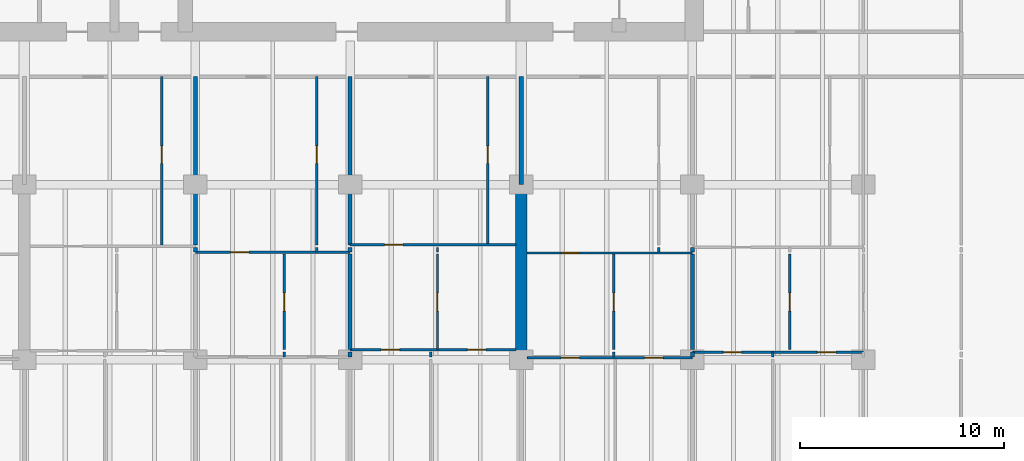
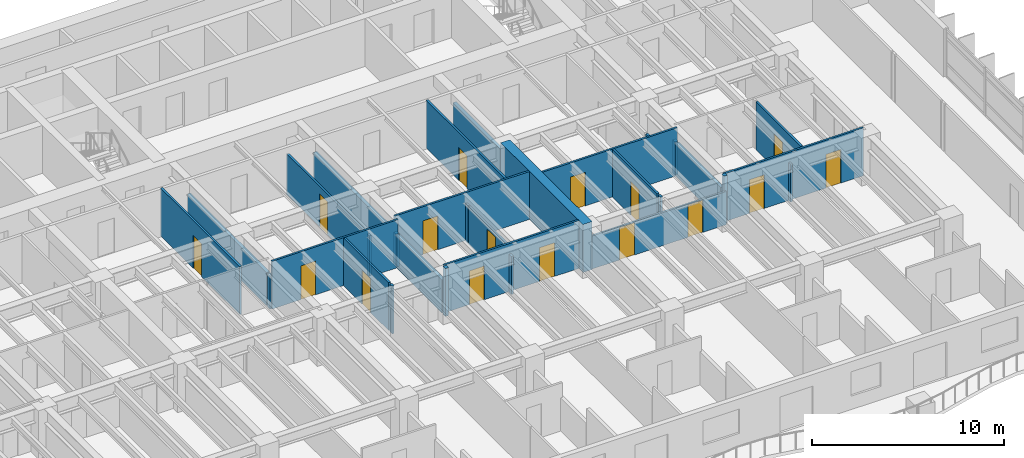
# One storey, part 9 of 19: 31 walls, 16 doors, 16 openings.
"""IFC4 building model written with IfcOpenShell, lengths in metres."""

from ifc_helpers import new_model, si_unit, direction, frame, frame_2d, origin, place, context, subcontext, project, spatial, rectangle, extrude, material, layer, layer_set, type_object, element, fill, save


model = new_model("IFC4")

# Units and contexts
model_context = context("Model", 3, precision=1e-05, world=origin(), true_north=direction((0.0, 1.0)))
body_context = subcontext(model_context, "Body", "Model", "MODEL_VIEW")
ifc_project = project(units=[si_unit("LENGTHUNIT", "METRE"), si_unit("AREAUNIT", "SQUARE_METRE"), si_unit("VOLUMEUNIT", "CUBIC_METRE"), si_unit("PLANEANGLEUNIT", "RADIAN"), si_unit("MASSUNIT", "GRAM", prefix="KILO")], contexts=[model_context])

# Site, building, storey
site_placement = place(None, origin())
site = spatial("IfcSite", under=ifc_project, at=site_placement, CompositionType="ELEMENT")
building_placement = place(site_placement, origin())
building = spatial("IfcBuilding", under=site, at=building_placement, Name="Caelmar Bay Residences", CompositionType="ELEMENT")
storey_placement = place(building_placement, frame((0.0, 0.0, 66.300048828125)))
storey = spatial("IfcBuildingStorey", under=building, at=storey_placement, Name="L17", CompositionType="ELEMENT", Elevation=66.300048828125)

# Wall
ifc_material_1 = material(Name="Concrete f'c 70 MPa (10,000 psi)", Category="concrete")
ifc_layer_1 = layer(ifc_material_1, 0.550048828125)
ifc_layer_set_1 = layer_set([ifc_layer_1], Name="Concrete f'c 70 MPa (10,000 psi)")
wall_type_1 = type_object("IfcWallType", Name="SW-XSLB-550", PredefinedType="SHEAR", material=ifc_layer_set_1)
wall_1_placement = place(storey_placement, frame((51.10009765625, 20.800048828125, 0.0), z_axis=(0.0, 0.0, 1.0), x_axis=(0.0, 1.0, 0.0)))
element("IfcWall", 1, at=wall_1_placement, inside=storey, type_object=wall_type_1, Name="L17 Transverse Cross-Slab Shear Wall E8", PredefinedType="SHEAR", context=body_context, shape_type="SweptSolid", body=[
    extrude(rectangle(XDim=8.599853515625, YDim=0.550048828125, at=frame_2d((4.2998046875, 0.0))), origin(), (0.0, 0.0, 1.0), 3.050048828125),
])

# Wall, opening, door
ifc_material_2 = material(Name="Acoustic metal-stud gypsum partition 120 mm")
ifc_layer_2 = layer(ifc_material_2, 0.1201171875)
ifc_layer_set_2 = layer_set([ifc_layer_2], Name="Acoustic metal-stud gypsum partition 120 mm")
wall_type_2 = type_object("IfcWallType", Name="W-PRT-120", PredefinedType="PARTITIONING", material=ifc_layer_set_2)
wall_2_placement = place(storey_placement, frame((33.449951171875, 26.43994140625, 0.0), z_axis=(0.0, 0.0, 1.0), x_axis=(0.0, 1.0, 0.0)))
wall_2 = element("IfcWall", 2, at=wall_2_placement, inside=storey, type_object=wall_type_2, Name="L17 Partition Wall V048", PredefinedType="PARTITIONING", context=body_context, shape_type="SweptSolid", body=[
    extrude(rectangle(XDim=8.260009765625, YDim=0.1201171875, at=frame_2d((4.1298828125, 0.0))), origin(), (0.0, 0.0, 1.0), 3.050048828125),
])
opening_1_placement = place(wall_2_placement, frame((4.0048828125, 0.0, 0.0)))
opening_1 = element("IfcOpeningElement", 3, at=opening_1_placement, cuts=wall_2, Name="Opening D-L17-139", PredefinedType="OPENING", context=body_context, shape_type="SweptSolid", body=[
    extrude(rectangle(XDim=0.85009765625, YDim=2.10009765625, at=frame_2d((0.425048828125, 1.050048828125))), frame((0.0, 0.070068359375, 0.0), z_axis=(0.0, -1.0, 0.0), x_axis=(1.0, 0.0, 0.0)), (0.0, 0.0, 1.0), 0.14013671875),
])
ifc_material_3 = material(Name="Solid walnut timber interior door leaf and frame", Category="wood")
ifc_layer_3 = layer(ifc_material_3, 0.050048828125)
ifc_layer_set_3 = layer_set([ifc_layer_3], Name="Solid walnut timber interior door leaf and frame")
door_type_1 = type_object("IfcDoorType", Name="D-BATH-850", OperationType="NOTDEFINED", PredefinedType="DOOR", material=ifc_layer_set_3)
door_1_placement = place(opening_1_placement, origin())
door_1 = element("IfcDoor", 4, at=door_1_placement, inside=storey, type_object=door_type_1, Name="L17 Residence 03 Bathroom Door", OperationType="SINGLE_SWING_RIGHT", OverallHeight=2.10009765625, OverallWidth=0.85009765625, PredefinedType="DOOR", context=body_context, shape_type="SweptSolid", body=[
    extrude(rectangle(XDim=0.85009765625, YDim=2.10009765625, at=frame_2d((0.425048828125, 1.050048828125))), frame((0.0, 0.02490234375, 0.0), z_axis=(0.0, -1.0, 0.0), x_axis=(1.0, 0.0, 0.0)), (0.0, 0.0, 1.0), 0.050048828125),
])
fill(opening_1, door_1)

# Wall
wall_3_placement = place(storey_placement, frame((39.4541015625, 20.929931640625, 0.0), z_axis=(0.0, 0.0, 1.0), x_axis=(0.0, 1.0, 0.0)))
element("IfcWall", 5, at=wall_3_placement, inside=storey, type_object=wall_type_2, Name="L17 Partition Wall V059", PredefinedType="PARTITIONING", context=body_context, shape_type="SweptSolid", body=[
    extrude(rectangle(XDim=0.239990234375, YDim=0.1201171875, at=frame_2d((0.1201171875, 0.0))), origin(), (0.0, 0.0, 1.0), 3.050048828125),
])

# Wall, opening, door
wall_4_placement = place(storey_placement, frame((39.4541015625, 21.2900390625, 0.0), z_axis=(0.0, 0.0, 1.0), x_axis=(0.0, 1.0, 0.0)))
wall_4 = element("IfcWall", 6, at=wall_4_placement, inside=storey, type_object=wall_type_2, Name="L17 Partition Wall V060", PredefinedType="PARTITIONING", context=body_context, shape_type="SweptSolid", body=[
    extrude(rectangle(XDim=4.68994140625, YDim=0.1201171875, at=frame_2d((2.344970703125, 0.0))), origin(), (0.0, 0.0, 1.0), 3.050048828125),
])
opening_2_placement = place(wall_4_placement, frame((1.89501953125, 0.0, 0.0)))
opening_2 = element("IfcOpeningElement", 7, at=opening_2_placement, cuts=wall_4, Name="Opening D-L17-148", PredefinedType="OPENING", context=body_context, shape_type="SweptSolid", body=[
    extrude(rectangle(XDim=0.89990234375, YDim=2.14990234375, at=frame_2d((0.449951171875, 1.074951171875))), frame((0.0, 0.070068359375, 0.0), z_axis=(0.0, -1.0, 0.0), x_axis=(1.0, 0.0, 0.0)), (0.0, 0.0, 1.0), 0.14013671875),
])
ifc_layer_4 = layer(ifc_material_3, 0.050048828125)
ifc_layer_set_4 = layer_set([ifc_layer_4], Name="Solid walnut timber interior door leaf and frame")
door_type_2 = type_object("IfcDoorType", Name="D-ROOM-900", OperationType="NOTDEFINED", PredefinedType="DOOR", material=ifc_layer_set_4)
door_2_placement = place(opening_2_placement, origin())
door_2 = element("IfcDoor", 8, at=door_2_placement, inside=storey, type_object=door_type_2, Name="L17 Residence 04 Study Door", OperationType="SINGLE_SWING_LEFT", OverallHeight=2.14990234375, OverallWidth=0.89990234375, PredefinedType="DOOR", context=body_context, shape_type="SweptSolid", body=[
    extrude(rectangle(XDim=0.89990234375, YDim=2.14990234375, at=frame_2d((0.449951171875, 1.074951171875))), frame((0.0, 0.02490234375, 0.0), z_axis=(0.0, -1.0, 0.0), x_axis=(1.0, 0.0, 0.0)), (0.0, 0.0, 1.0), 0.050048828125),
])
fill(opening_2, door_2)

# Wall
wall_5_placement = place(storey_placement, frame((41.050048828125, 26.080078125, 0.0), z_axis=(0.0, 0.0, 1.0), x_axis=(0.0, 1.0, 0.0)))
element("IfcWall", 9, at=wall_5_placement, inside=storey, type_object=wall_type_2, Name="L17 Partition Wall V062", PredefinedType="PARTITIONING", context=body_context, shape_type="SweptSolid", body=[
    extrude(rectangle(XDim=0.239990234375, YDim=0.1201171875, at=frame_2d((0.1201171875, 0.0))), origin(), (0.0, 0.0, 1.0), 2.577880859375),
])

# Wall, opening, door
wall_6_placement = place(storey_placement, frame((41.050048828125, 26.43994140625, 0.0), z_axis=(0.0, 0.0, 1.0), x_axis=(0.0, 1.0, 0.0)))
wall_6 = element("IfcWall", 10, at=wall_6_placement, inside=storey, type_object=wall_type_2, Name="L17 Partition Wall V063", PredefinedType="PARTITIONING", context=body_context, shape_type="SweptSolid", body=[
    extrude(rectangle(XDim=8.260009765625, YDim=0.1201171875, at=frame_2d((4.1298828125, 0.0))), origin(), (0.0, 0.0, 1.0), 2.577880859375),
])
opening_3_placement = place(wall_6_placement, frame((4.0048828125, 0.0, 0.0)))
opening_3 = element("IfcOpeningElement", 11, at=opening_3_placement, cuts=wall_6, Name="Opening D-L17-146", PredefinedType="OPENING", context=body_context, shape_type="SweptSolid", body=[
    extrude(rectangle(XDim=0.85009765625, YDim=2.10009765625, at=frame_2d((0.425048828125, 1.050048828125))), frame((0.0, 0.070068359375, 0.0), z_axis=(0.0, -1.0, 0.0), x_axis=(1.0, 0.0, 0.0)), (0.0, 0.0, 1.0), 0.14013671875),
])
door_3_placement = place(opening_3_placement, origin())
door_3 = element("IfcDoor", 12, at=door_3_placement, inside=storey, type_object=door_type_1, Name="L17 Residence 04 Bathroom Door", OperationType="SINGLE_SWING_LEFT", OverallHeight=2.10009765625, OverallWidth=0.85009765625, PredefinedType="DOOR", context=body_context, shape_type="SweptSolid", body=[
    extrude(rectangle(XDim=0.85009765625, YDim=2.10009765625, at=frame_2d((0.425048828125, 1.050048828125))), frame((0.0, 0.02490234375, 0.0), z_axis=(0.0, -1.0, 0.0), x_axis=(1.0, 0.0, 0.0)), (0.0, 0.0, 1.0), 0.050048828125),
])
fill(opening_3, door_3)

# Wall
wall_7_placement = place(storey_placement, frame((46.64794921875, 20.929931640625, 0.0), z_axis=(0.0, 0.0, 1.0), x_axis=(0.0, 1.0, 0.0)))
element("IfcWall", 13, at=wall_7_placement, inside=storey, type_object=wall_type_2, Name="L17 Partition Wall V075", PredefinedType="PARTITIONING", context=body_context, shape_type="SweptSolid", body=[
    extrude(rectangle(XDim=0.239990234375, YDim=0.1201171875, at=frame_2d((0.1201171875, 0.0))), origin(), (0.0, 0.0, 1.0), 2.4228515625),
])

# Wall, opening, door
wall_8_placement = place(storey_placement, frame((46.986083984375, 21.2900390625, 0.0), z_axis=(0.0, 0.0, 1.0), x_axis=(0.0, 1.0, 0.0)))
wall_8 = element("IfcWall", 14, at=wall_8_placement, inside=storey, type_object=wall_type_2, Name="L17 Partition Wall V076", PredefinedType="PARTITIONING", context=body_context, shape_type="SweptSolid", body=[
    extrude(rectangle(XDim=4.68994140625, YDim=0.1201171875, at=frame_2d((2.344970703125, 0.0))), origin(), (0.0, 0.0, 1.0), 2.4228515625),
])
opening_4_placement = place(wall_8_placement, frame((1.89501953125, 0.0, 0.0)))
opening_4 = element("IfcOpeningElement", 15, at=opening_4_placement, cuts=wall_8, Name="Opening D-L17-155", PredefinedType="OPENING", context=body_context, shape_type="SweptSolid", body=[
    extrude(rectangle(XDim=0.89990234375, YDim=2.14990234375, at=frame_2d((0.449951171875, 1.074951171875))), frame((0.0, 0.070068359375, 0.0), z_axis=(0.0, -1.0, 0.0), x_axis=(1.0, 0.0, 0.0)), (0.0, 0.0, 1.0), 0.14013671875),
])
door_4_placement = place(opening_4_placement, origin())
door_4 = element("IfcDoor", 16, at=door_4_placement, inside=storey, type_object=door_type_2, Name="L17 Residence 05 Study Door", OperationType="SINGLE_SWING_RIGHT", OverallHeight=2.14990234375, OverallWidth=0.89990234375, PredefinedType="DOOR", context=body_context, shape_type="SweptSolid", body=[
    extrude(rectangle(XDim=0.89990234375, YDim=2.14990234375, at=frame_2d((0.449951171875, 1.074951171875))), frame((0.0, 0.02490234375, 0.0), z_axis=(0.0, -1.0, 0.0), x_axis=(1.0, 0.0, 0.0)), (0.0, 0.0, 1.0), 0.050048828125),
])
fill(opening_4, door_4)

# Wall
wall_9_placement = place(storey_placement, frame((46.986083984375, 26.080078125, 0.0), z_axis=(0.0, 0.0, 1.0), x_axis=(0.0, 1.0, 0.0)))
element("IfcWall", 17, at=wall_9_placement, inside=storey, type_object=wall_type_2, Name="L17 Partition Wall V077", PredefinedType="PARTITIONING", context=body_context, shape_type="SweptSolid", body=[
    extrude(rectangle(XDim=0.239990234375, YDim=0.1201171875, at=frame_2d((0.1201171875, 0.0))), origin(), (0.0, 0.0, 1.0), 2.4228515625),
])

# Wall, opening, door
wall_10_placement = place(storey_placement, frame((49.449951171875, 26.43994140625, 0.0), z_axis=(0.0, 0.0, 1.0), x_axis=(0.0, 1.0, 0.0)))
wall_10 = element("IfcWall", 18, at=wall_10_placement, inside=storey, type_object=wall_type_2, Name="L17 Partition Wall V079", PredefinedType="PARTITIONING", context=body_context, shape_type="SweptSolid", body=[
    extrude(rectangle(XDim=8.260009765625, YDim=0.1201171875, at=frame_2d((4.1298828125, 0.0))), origin(), (0.0, 0.0, 1.0), 3.050048828125),
])
opening_5_placement = place(wall_10_placement, frame((4.0048828125, 0.0, 0.0)))
opening_5 = element("IfcOpeningElement", 19, at=opening_5_placement, cuts=wall_10, Name="Opening D-L17-153", PredefinedType="OPENING", context=body_context, shape_type="SweptSolid", body=[
    extrude(rectangle(XDim=0.85009765625, YDim=2.10009765625, at=frame_2d((0.425048828125, 1.050048828125))), frame((0.0, 0.070068359375, 0.0), z_axis=(0.0, -1.0, 0.0), x_axis=(1.0, 0.0, 0.0)), (0.0, 0.0, 1.0), 0.14013671875),
])
door_5_placement = place(opening_5_placement, origin())
door_5 = element("IfcDoor", 20, at=door_5_placement, inside=storey, type_object=door_type_1, Name="L17 Residence 05 Bathroom Door", OperationType="SINGLE_SWING_RIGHT", OverallHeight=2.10009765625, OverallWidth=0.85009765625, PredefinedType="DOOR", context=body_context, shape_type="SweptSolid", body=[
    extrude(rectangle(XDim=0.85009765625, YDim=2.10009765625, at=frame_2d((0.425048828125, 1.050048828125))), frame((0.0, 0.02490234375, 0.0), z_axis=(0.0, -1.0, 0.0), x_axis=(1.0, 0.0, 0.0)), (0.0, 0.0, 1.0), 0.050048828125),
])
fill(opening_5, door_5)

# Wall
wall_11_placement = place(storey_placement, frame((55.635986328125, 20.929931640625, 0.0), z_axis=(0.0, 0.0, 1.0), x_axis=(0.0, 1.0, 0.0)))
element("IfcWall", 21, at=wall_11_placement, inside=storey, type_object=wall_type_2, Name="L17 Partition Wall V087", PredefinedType="PARTITIONING", context=body_context, shape_type="SweptSolid", body=[
    extrude(rectangle(XDim=0.239990234375, YDim=0.1201171875, at=frame_2d((0.1201171875, 0.0))), origin(), (0.0, 0.0, 1.0), 3.050048828125),
])

# Wall, opening, door
wall_12_placement = place(storey_placement, frame((55.635986328125, 21.2900390625, 0.0), z_axis=(0.0, 0.0, 1.0), x_axis=(0.0, 1.0, 0.0)))
wall_12 = element("IfcWall", 22, at=wall_12_placement, inside=storey, type_object=wall_type_2, Name="L17 Partition Wall V088", PredefinedType="PARTITIONING", context=body_context, shape_type="SweptSolid", body=[
    extrude(rectangle(XDim=4.68994140625, YDim=0.1201171875, at=frame_2d((2.344970703125, 0.0))), origin(), (0.0, 0.0, 1.0), 3.050048828125),
])
opening_6_placement = place(wall_12_placement, frame((1.89501953125, 0.0, 0.0)))
opening_6 = element("IfcOpeningElement", 23, at=opening_6_placement, cuts=wall_12, Name="Opening D-L17-162", PredefinedType="OPENING", context=body_context, shape_type="SweptSolid", body=[
    extrude(rectangle(XDim=0.89990234375, YDim=2.14990234375, at=frame_2d((0.449951171875, 1.074951171875))), frame((0.0, 0.070068359375, 0.0), z_axis=(0.0, -1.0, 0.0), x_axis=(1.0, 0.0, 0.0)), (0.0, 0.0, 1.0), 0.14013671875),
])
door_6_placement = place(opening_6_placement, origin())
door_6 = element("IfcDoor", 24, at=door_6_placement, inside=storey, type_object=door_type_2, Name="L17 Residence 06 Study Door", OperationType="SINGLE_SWING_LEFT", OverallHeight=2.14990234375, OverallWidth=0.89990234375, PredefinedType="DOOR", context=body_context, shape_type="SweptSolid", body=[
    extrude(rectangle(XDim=0.89990234375, YDim=2.14990234375, at=frame_2d((0.449951171875, 1.074951171875))), frame((0.0, 0.02490234375, 0.0), z_axis=(0.0, -1.0, 0.0), x_axis=(1.0, 0.0, 0.0)), (0.0, 0.0, 1.0), 0.050048828125),
])
fill(opening_6, door_6)

# Walls
wall_13_placement = place(storey_placement, frame((57.85009765625, 26.080078125, 0.0), z_axis=(0.0, 0.0, 1.0), x_axis=(0.0, 1.0, 0.0)))
element("IfcWall", 25, at=wall_13_placement, inside=storey, type_object=wall_type_2, Name="L17 Partition Wall V092", PredefinedType="PARTITIONING", context=body_context, shape_type="SweptSolid", body=[
    extrude(rectangle(XDim=0.239990234375, YDim=0.1201171875, at=frame_2d((0.1201171875, 0.0))), origin(), (0.0, 0.0, 1.0), 3.050048828125),
])
wall_14_placement = place(storey_placement, frame((63.447998046875, 20.929931640625, 0.0), z_axis=(0.0, 0.0, 1.0), x_axis=(0.0, 1.0, 0.0)))
element("IfcWall", 26, at=wall_14_placement, inside=storey, type_object=wall_type_2, Name="L17 Partition Wall V103", PredefinedType="PARTITIONING", context=body_context, shape_type="SweptSolid", body=[
    extrude(rectangle(XDim=0.239990234375, YDim=0.1201171875, at=frame_2d((0.1201171875, 0.0))), origin(), (0.0, 0.0, 1.0), 2.4228515625),
])

# Wall, opening, door
wall_15_placement = place(storey_placement, frame((64.285888671875, 21.2900390625, 0.0), z_axis=(0.0, 0.0, 1.0), x_axis=(0.0, 1.0, 0.0)))
wall_15 = element("IfcWall", 27, at=wall_15_placement, inside=storey, type_object=wall_type_2, Name="L17 Partition Wall V104", PredefinedType="PARTITIONING", context=body_context, shape_type="SweptSolid", body=[
    extrude(rectangle(XDim=4.68994140625, YDim=0.1201171875, at=frame_2d((2.344970703125, 0.0))), origin(), (0.0, 0.0, 1.0), 3.050048828125),
])
opening_7_placement = place(wall_15_placement, frame((1.89501953125, 0.0, 0.0)))
opening_7 = element("IfcOpeningElement", 28, at=opening_7_placement, cuts=wall_15, Name="Opening D-L17-169", PredefinedType="OPENING", context=body_context, shape_type="SweptSolid", body=[
    extrude(rectangle(XDim=0.89990234375, YDim=2.14990234375, at=frame_2d((0.449951171875, 1.074951171875))), frame((0.0, 0.070068359375, 0.0), z_axis=(0.0, -1.0, 0.0), x_axis=(1.0, 0.0, 0.0)), (0.0, 0.0, 1.0), 0.14013671875),
])
door_7_placement = place(opening_7_placement, origin())
door_7 = element("IfcDoor", 29, at=door_7_placement, inside=storey, type_object=door_type_2, Name="L17 Residence 07 Study Door", OperationType="SINGLE_SWING_RIGHT", OverallHeight=2.14990234375, OverallWidth=0.89990234375, PredefinedType="DOOR", context=body_context, shape_type="SweptSolid", body=[
    extrude(rectangle(XDim=0.89990234375, YDim=2.14990234375, at=frame_2d((0.449951171875, 1.074951171875))), frame((0.0, 0.02490234375, 0.0), z_axis=(0.0, -1.0, 0.0), x_axis=(1.0, 0.0, 0.0)), (0.0, 0.0, 1.0), 0.050048828125),
])
fill(opening_7, door_7)

# Wall, openings, doors
wall_16_placement = place(storey_placement, frame((51.3701171875, 20.889892578125, 0.0), z_axis=(0.0, 0.0, 1.0), x_axis=(1.0, 0.0, 0.0)))
wall_16 = element("IfcWall", 30, at=wall_16_placement, inside=storey, type_object=wall_type_2, Name="L17 Partition Wall H129", PredefinedType="PARTITIONING", context=body_context, shape_type="SweptSolid", body=[
    extrude(rectangle(XDim=8.1298828125, YDim=0.1201171875, at=frame_2d((4.06494140625, 0.0))), origin(), (0.0, 0.0, 1.0), 2.10986328125),
])
opening_8_placement = place(wall_16_placement, frame((1.68310546875, 0.0, 0.0)))
opening_8 = element("IfcOpeningElement", 31, at=opening_8_placement, cuts=wall_16, Name="Opening D-L17-163", PredefinedType="OPENING", context=body_context, shape_type="SweptSolid", body=[
    extrude(rectangle(XDim=0.89990234375, YDim=2.06005859375, at=frame_2d((0.449951171875, 1.030029296875))), frame((0.0, 0.070068359375, 0.0), z_axis=(0.0, -1.0, 0.0), x_axis=(1.0, 0.0, 0.0)), (0.0, 0.0, 1.0), 0.14013671875),
])
opening_9_placement = place(wall_16_placement, frame((5.7900390625, 0.0, 0.0)))
opening_9 = element("IfcOpeningElement", 32, at=opening_9_placement, cuts=wall_16, Name="Opening D-L17-164", PredefinedType="OPENING", context=body_context, shape_type="SweptSolid", body=[
    extrude(rectangle(XDim=0.89990234375, YDim=2.06005859375, at=frame_2d((0.449951171875, 1.030029296875))), frame((0.0, 0.070068359375, 0.0), z_axis=(0.0, -1.0, 0.0), x_axis=(1.0, 0.0, 0.0)), (0.0, 0.0, 1.0), 0.14013671875),
])
door_8_placement = place(opening_8_placement, origin())
door_8 = element("IfcDoor", 33, at=door_8_placement, inside=storey, type_object=door_type_2, Name="L17 Residence 06 Penthouse Living Salon Door", OperationType="SINGLE_SWING_RIGHT", OverallHeight=2.06005859375, OverallWidth=0.89990234375, PredefinedType="DOOR", context=body_context, shape_type="SweptSolid", body=[
    extrude(rectangle(XDim=0.89990234375, YDim=2.06005859375, at=frame_2d((0.449951171875, 1.030029296875))), frame((0.0, 0.02490234375, 0.0), z_axis=(0.0, -1.0, 0.0), x_axis=(1.0, 0.0, 0.0)), (0.0, 0.0, 1.0), 0.050048828125),
])
fill(opening_8, door_8)
door_9_placement = place(opening_9_placement, origin())
door_9 = element("IfcDoor", 34, at=door_9_placement, inside=storey, type_object=door_type_2, Name="L17 Residence 06 Penthouse Sitting Room Door", OperationType="SINGLE_SWING_LEFT", OverallHeight=2.06005859375, OverallWidth=0.89990234375, PredefinedType="DOOR", context=body_context, shape_type="SweptSolid", body=[
    extrude(rectangle(XDim=0.89990234375, YDim=2.06005859375, at=frame_2d((0.449951171875, 1.030029296875))), frame((0.0, 0.02490234375, 0.0), z_axis=(0.0, -1.0, 0.0), x_axis=(1.0, 0.0, 0.0)), (0.0, 0.0, 1.0), 0.050048828125),
])
fill(opening_9, door_9)

wall_17_placement = place(storey_placement, frame((59.5, 21.169921875, 0.0), z_axis=(0.0, 0.0, 1.0), x_axis=(1.0, 0.0, 0.0)))
wall_17 = element("IfcWall", 35, at=wall_17_placement, inside=storey, type_object=wall_type_2, Name="L17 Partition Wall H132", PredefinedType="PARTITIONING", context=body_context, shape_type="SweptSolid", body=[
    extrude(rectangle(XDim=8.39990234375, YDim=0.1201171875, at=frame_2d((4.199951171875, 0.0))), origin(), (0.0, 0.0, 1.0), 3.050048828125),
])
opening_10_placement = place(wall_17_placement, frame((1.52392578125, 0.0, 0.0)))
opening_10 = element("IfcOpeningElement", 36, at=opening_10_placement, cuts=wall_17, Name="Opening D-L17-170", PredefinedType="OPENING", context=body_context, shape_type="SweptSolid", body=[
    extrude(rectangle(XDim=0.89990234375, YDim=2.14990234375, at=frame_2d((0.449951171875, 1.074951171875))), frame((0.0, 0.070068359375, 0.0), z_axis=(0.0, -1.0, 0.0), x_axis=(1.0, 0.0, 0.0)), (0.0, 0.0, 1.0), 0.14013671875),
])
opening_11_placement = place(wall_17_placement, frame((6.14306640625, 0.0, 0.0)))
opening_11 = element("IfcOpeningElement", 37, at=opening_11_placement, cuts=wall_17, Name="Opening D-L17-171", PredefinedType="OPENING", context=body_context, shape_type="SweptSolid", body=[
    extrude(rectangle(XDim=0.89990234375, YDim=2.14990234375, at=frame_2d((0.449951171875, 1.074951171875))), frame((0.0, 0.070068359375, 0.0), z_axis=(0.0, -1.0, 0.0), x_axis=(1.0, 0.0, 0.0)), (0.0, 0.0, 1.0), 0.14013671875),
])
door_10_placement = place(opening_10_placement, origin())
door_10 = element("IfcDoor", 38, at=door_10_placement, inside=storey, type_object=door_type_2, Name="L17 Residence 07 Living Room Door", OperationType="SINGLE_SWING_LEFT", OverallHeight=2.14990234375, OverallWidth=0.89990234375, PredefinedType="DOOR", context=body_context, shape_type="SweptSolid", body=[
    extrude(rectangle(XDim=0.89990234375, YDim=2.14990234375, at=frame_2d((0.449951171875, 1.074951171875))), frame((0.0, 0.02490234375, 0.0), z_axis=(0.0, -1.0, 0.0), x_axis=(1.0, 0.0, 0.0)), (0.0, 0.0, 1.0), 0.050048828125),
])
fill(opening_10, door_10)
door_11_placement = place(opening_11_placement, origin())
door_11 = element("IfcDoor", 39, at=door_11_placement, inside=storey, type_object=door_type_2, Name="L17 Residence 07 Penthouse Sitting Room Door", OperationType="SINGLE_SWING_RIGHT", OverallHeight=2.14990234375, OverallWidth=0.89990234375, PredefinedType="DOOR", context=body_context, shape_type="SweptSolid", body=[
    extrude(rectangle(XDim=0.89990234375, YDim=2.14990234375, at=frame_2d((0.449951171875, 1.074951171875))), frame((0.0, 0.02490234375, 0.0), z_axis=(0.0, -1.0, 0.0), x_axis=(1.0, 0.0, 0.0)), (0.0, 0.0, 1.0), 0.050048828125),
])
fill(opening_11, door_11)

wall_18_placement = place(storey_placement, frame((42.699951171875, 21.2900390625, 0.0), z_axis=(0.0, 0.0, 1.0), x_axis=(1.0, 0.0, 0.0)))
wall_18 = element("IfcWall", 40, at=wall_18_placement, inside=storey, type_object=wall_type_2, Name="L17 Partition Wall H134", PredefinedType="PARTITIONING", context=body_context, shape_type="SweptSolid", body=[
    extrude(rectangle(XDim=8.130126953125, YDim=0.1201171875, at=frame_2d((4.06494140625, 0.0))), origin(), (0.0, 0.0, 1.0), 3.050048828125),
])
opening_12_placement = place(wall_18_placement, frame((1.52392578125, 0.0, 0.0)))
opening_12 = element("IfcOpeningElement", 41, at=opening_12_placement, cuts=wall_18, Name="Opening D-L17-156", PredefinedType="OPENING", context=body_context, shape_type="SweptSolid", body=[
    extrude(rectangle(XDim=0.89990234375, YDim=2.14990234375, at=frame_2d((0.449951171875, 1.074951171875))), frame((0.0, 0.070068359375, 0.0), z_axis=(0.0, -1.0, 0.0), x_axis=(1.0, 0.0, 0.0)), (0.0, 0.0, 1.0), 0.14013671875),
])
opening_13_placement = place(wall_18_placement, frame((5.758056640625, 0.0, 0.0)))
opening_13 = element("IfcOpeningElement", 42, at=opening_13_placement, cuts=wall_18, Name="Opening D-L17-157", PredefinedType="OPENING", context=body_context, shape_type="SweptSolid", body=[
    extrude(rectangle(XDim=0.89990234375, YDim=2.14990234375, at=frame_2d((0.449951171875, 1.074951171875))), frame((0.0, 0.070068359375, 0.0), z_axis=(0.0, -1.0, 0.0), x_axis=(1.0, 0.0, 0.0)), (0.0, 0.0, 1.0), 0.14013671875),
])
door_12_placement = place(opening_12_placement, origin())
door_12 = element("IfcDoor", 43, at=door_12_placement, inside=storey, type_object=door_type_2, Name="L17 Residence 05 Living Room Door", OperationType="SINGLE_SWING_LEFT", OverallHeight=2.14990234375, OverallWidth=0.89990234375, PredefinedType="DOOR", context=body_context, shape_type="SweptSolid", body=[
    extrude(rectangle(XDim=0.89990234375, YDim=2.14990234375, at=frame_2d((0.449951171875, 1.074951171875))), frame((0.0, 0.02490234375, 0.0), z_axis=(0.0, -1.0, 0.0), x_axis=(1.0, 0.0, 0.0)), (0.0, 0.0, 1.0), 0.050048828125),
])
fill(opening_12, door_12)
door_13_placement = place(opening_13_placement, origin())
door_13 = element("IfcDoor", 44, at=door_13_placement, inside=storey, type_object=door_type_2, Name="L17 Residence 05 Penthouse Sitting Room Door", OperationType="SINGLE_SWING_RIGHT", OverallHeight=2.14990234375, OverallWidth=0.89990234375, PredefinedType="DOOR", context=body_context, shape_type="SweptSolid", body=[
    extrude(rectangle(XDim=0.89990234375, YDim=2.14990234375, at=frame_2d((0.449951171875, 1.074951171875))), frame((0.0, 0.02490234375, 0.0), z_axis=(0.0, -1.0, 0.0), x_axis=(1.0, 0.0, 0.0)), (0.0, 0.0, 1.0), 0.050048828125),
])
fill(opening_13, door_13)

# Wall, opening, door
wall_19_placement = place(storey_placement, frame((51.3701171875, 26.0400390625, 0.0), z_axis=(0.0, 0.0, 1.0), x_axis=(1.0, 0.0, 0.0)))
wall_19 = element("IfcWall", 45, at=wall_19_placement, inside=storey, type_object=wall_type_2, Name="L17 Partition Wall H136", PredefinedType="PARTITIONING", context=body_context, shape_type="SweptSolid", body=[
    extrude(rectangle(XDim=8.1298828125, YDim=0.1201171875, at=frame_2d((4.06494140625, 0.0))), origin(), (0.0, 0.0, 1.0), 3.050048828125),
])
opening_14_placement = place(wall_19_placement, frame((1.68310546875, 0.0, 0.0)))
opening_14 = element("IfcOpeningElement", 46, at=opening_14_placement, cuts=wall_19, Name="Opening D-L17-161", PredefinedType="OPENING", context=body_context, shape_type="SweptSolid", body=[
    extrude(rectangle(XDim=0.89990234375, YDim=2.14990234375, at=frame_2d((0.449951171875, 1.074951171875))), frame((0.0, 0.070068359375, 0.0), z_axis=(0.0, -1.0, 0.0), x_axis=(1.0, 0.0, 0.0)), (0.0, 0.0, 1.0), 0.14013671875),
])
door_14_placement = place(opening_14_placement, origin())
door_14 = element("IfcDoor", 47, at=door_14_placement, inside=storey, type_object=door_type_2, Name="L17 Residence 06 Kitchen Door", OperationType="SINGLE_SWING_RIGHT", OverallHeight=2.14990234375, OverallWidth=0.89990234375, PredefinedType="DOOR", context=body_context, shape_type="SweptSolid", body=[
    extrude(rectangle(XDim=0.89990234375, YDim=2.14990234375, at=frame_2d((0.449951171875, 1.074951171875))), frame((0.0, 0.02490234375, 0.0), z_axis=(0.0, -1.0, 0.0), x_axis=(1.0, 0.0, 0.0)), (0.0, 0.0, 1.0), 0.050048828125),
])
fill(opening_14, door_14)

wall_20_placement = place(storey_placement, frame((35.10009765625, 26.080078125, 0.0), z_axis=(0.0, 0.0, 1.0), x_axis=(1.0, 0.0, 0.0)))
wall_20 = element("IfcWall", 48, at=wall_20_placement, inside=storey, type_object=wall_type_2, Name="L17 Partition Wall H137", PredefinedType="PARTITIONING", context=body_context, shape_type="SweptSolid", body=[
    extrude(rectangle(XDim=7.599853515625, YDim=0.1201171875, at=frame_2d((3.7998046875, 0.0))), origin(), (0.0, 0.0, 1.0), 3.050048828125),
])
opening_15_placement = place(wall_20_placement, frame((1.72705078125, 0.0, 0.0)))
opening_15 = element("IfcOpeningElement", 49, at=opening_15_placement, cuts=wall_20, Name="Opening D-L17-147", PredefinedType="OPENING", context=body_context, shape_type="SweptSolid", body=[
    extrude(rectangle(XDim=0.89990234375, YDim=2.14990234375, at=frame_2d((0.449951171875, 1.074951171875))), frame((0.0, 0.070068359375, 0.0), z_axis=(0.0, -1.0, 0.0), x_axis=(1.0, 0.0, 0.0)), (0.0, 0.0, 1.0), 0.14013671875),
])
door_15_placement = place(opening_15_placement, origin())
door_15 = element("IfcDoor", 50, at=door_15_placement, inside=storey, type_object=door_type_2, Name="L17 Residence 04 Kitchen Door", OperationType="SINGLE_SWING_RIGHT", OverallHeight=2.14990234375, OverallWidth=0.89990234375, PredefinedType="DOOR", context=body_context, shape_type="SweptSolid", body=[
    extrude(rectangle(XDim=0.89990234375, YDim=2.14990234375, at=frame_2d((0.449951171875, 1.074951171875))), frame((0.0, 0.02490234375, 0.0), z_axis=(0.0, -1.0, 0.0), x_axis=(1.0, 0.0, 0.0)), (0.0, 0.0, 1.0), 0.050048828125),
])
fill(opening_15, door_15)

wall_21_placement = place(storey_placement, frame((42.699951171875, 26.43994140625, 0.0), z_axis=(0.0, 0.0, 1.0), x_axis=(1.0, 0.0, 0.0)))
wall_21 = element("IfcWall", 51, at=wall_21_placement, inside=storey, type_object=wall_type_2, Name="L17 Partition Wall H141", PredefinedType="PARTITIONING", context=body_context, shape_type="SweptSolid", body=[
    extrude(rectangle(XDim=8.130126953125, YDim=0.1201171875, at=frame_2d((4.06494140625, 0.0))), origin(), (0.0, 0.0, 1.0), 3.050048828125),
])
opening_16_placement = place(wall_21_placement, frame((1.693115234375, 0.0, 0.0)))
opening_16 = element("IfcOpeningElement", 52, at=opening_16_placement, cuts=wall_21, Name="Opening D-L17-154", PredefinedType="OPENING", context=body_context, shape_type="SweptSolid", body=[
    extrude(rectangle(XDim=0.89990234375, YDim=2.14990234375, at=frame_2d((0.449951171875, 1.074951171875))), frame((0.0, 0.070068359375, 0.0), z_axis=(0.0, -1.0, 0.0), x_axis=(1.0, 0.0, 0.0)), (0.0, 0.0, 1.0), 0.14013671875),
])
door_16_placement = place(opening_16_placement, origin())
door_16 = element("IfcDoor", 53, at=door_16_placement, inside=storey, type_object=door_type_2, Name="L17 Residence 05 Kitchen Door", OperationType="SINGLE_SWING_LEFT", OverallHeight=2.14990234375, OverallWidth=0.89990234375, PredefinedType="DOOR", context=body_context, shape_type="SweptSolid", body=[
    extrude(rectangle(XDim=0.89990234375, YDim=2.14990234375, at=frame_2d((0.449951171875, 1.074951171875))), frame((0.0, 0.02490234375, 0.0), z_axis=(0.0, -1.0, 0.0), x_axis=(1.0, 0.0, 0.0)), (0.0, 0.0, 1.0), 0.050048828125),
])
fill(opening_16, door_16)

# Walls
ifc_material_4 = material(Name="Acoustic twin-stud fire-rated inter-tenancy partition 200 mm")
ifc_layer_5 = layer(ifc_material_4, 0.199951171875)
ifc_layer_set_5 = layer_set([ifc_layer_5], Name="Acoustic twin-stud fire-rated inter-tenancy partition 200 mm")
wall_type_3 = type_object("IfcWallType", Name="W-PTY-200", PredefinedType="PARTITIONING", material=ifc_layer_set_5)
wall_22_placement = place(storey_placement, frame((35.10009765625, 26.080078125, 0.0), z_axis=(0.0, 0.0, 1.0), x_axis=(0.0, 1.0, 0.0)))
element("IfcWall", 54, at=wall_22_placement, inside=storey, type_object=wall_type_3, Name="L17 Partition Wall V053", PredefinedType="PARTITIONING", context=body_context, shape_type="SweptSolid", body=[
    extrude(rectangle(XDim=0.239990234375, YDim=0.199951171875, at=frame_2d((0.1201171875, 0.0))), origin(), (0.0, 0.0, 1.0), 2.10986328125),
])
wall_23_placement = place(storey_placement, frame((35.10009765625, 26.43994140625, 0.0), z_axis=(0.0, 0.0, 1.0), x_axis=(0.0, 1.0, 0.0)))
element("IfcWall", 55, at=wall_23_placement, inside=storey, type_object=wall_type_3, Name="L17 Partition Wall V054", PredefinedType="PARTITIONING", context=body_context, shape_type="SweptSolid", body=[
    extrude(rectangle(XDim=8.260009765625, YDim=0.199951171875, at=frame_2d((4.1298828125, 0.0))), origin(), (0.0, 0.0, 1.0), 2.10986328125),
])
wall_24_placement = place(storey_placement, frame((42.699951171875, 20.929931640625, 0.0), z_axis=(0.0, 0.0, 1.0), x_axis=(0.0, 1.0, 0.0)))
element("IfcWall", 56, at=wall_24_placement, inside=storey, type_object=wall_type_3, Name="L17 Partition Wall V066", PredefinedType="PARTITIONING", context=body_context, shape_type="SweptSolid", body=[
    extrude(rectangle(XDim=0.239990234375, YDim=0.199951171875, at=frame_2d((0.1201171875, 0.0))), origin(), (0.0, 0.0, 1.0), 3.050048828125),
])
wall_25_placement = place(storey_placement, frame((42.699951171875, 21.2900390625, 0.0), z_axis=(0.0, 0.0, 1.0), x_axis=(0.0, 1.0, 0.0)))
element("IfcWall", 57, at=wall_25_placement, inside=storey, type_object=wall_type_3, Name="L17 Partition Wall V067", PredefinedType="PARTITIONING", context=body_context, shape_type="SweptSolid", body=[
    extrude(rectangle(XDim=4.68994140625, YDim=0.199951171875, at=frame_2d((2.344970703125, 0.0))), origin(), (0.0, 0.0, 1.0), 2.10986328125),
])
wall_26_placement = place(storey_placement, frame((42.699951171875, 26.080078125, 0.0), z_axis=(0.0, 0.0, 1.0), x_axis=(0.0, 1.0, 0.0)))
element("IfcWall", 58, at=wall_26_placement, inside=storey, type_object=wall_type_3, Name="L17 Partition Wall V068", PredefinedType="PARTITIONING", context=body_context, shape_type="SweptSolid", body=[
    extrude(rectangle(XDim=0.239990234375, YDim=0.199951171875, at=frame_2d((0.1201171875, 0.0))), origin(), (0.0, 0.0, 1.0), 2.10986328125),
])
wall_27_placement = place(storey_placement, frame((42.699951171875, 26.43994140625, 0.0), z_axis=(0.0, 0.0, 1.0), x_axis=(0.0, 1.0, 0.0)))
element("IfcWall", 59, at=wall_27_placement, inside=storey, type_object=wall_type_3, Name="L17 Partition Wall V069", PredefinedType="PARTITIONING", context=body_context, shape_type="SweptSolid", body=[
    extrude(rectangle(XDim=8.260009765625, YDim=0.199951171875, at=frame_2d((4.1298828125, 0.0))), origin(), (0.0, 0.0, 1.0), 2.10986328125),
])
wall_28_placement = place(storey_placement, frame((51.10009765625, 29.405029296875, 0.0), z_axis=(0.0, 0.0, 1.0), x_axis=(0.0, 1.0, 0.0)))
element("IfcWall", 60, at=wall_28_placement, inside=storey, type_object=wall_type_3, Name="L17 Partition Wall V084", PredefinedType="PARTITIONING", context=body_context, shape_type="SweptSolid", body=[
    extrude(rectangle(XDim=5.294921875, YDim=0.199951171875, at=frame_2d((2.6474609375, 0.0))), origin(), (0.0, 0.0, 1.0), 2.3349609375),
])
wall_29_placement = place(storey_placement, frame((59.5, 20.929931640625, 0.0), z_axis=(0.0, 0.0, 1.0), x_axis=(0.0, 1.0, 0.0)))
element("IfcWall", 61, at=wall_29_placement, inside=storey, type_object=wall_type_3, Name="L17 Partition Wall V096", PredefinedType="PARTITIONING", context=body_context, shape_type="SweptSolid", body=[
    extrude(rectangle(XDim=0.239990234375, YDim=0.199951171875, at=frame_2d((0.1201171875, 0.0))), origin(), (0.0, 0.0, 1.0), 3.050048828125),
])
wall_30_placement = place(storey_placement, frame((59.5, 21.2900390625, 0.0), z_axis=(0.0, 0.0, 1.0), x_axis=(0.0, 1.0, 0.0)))
element("IfcWall", 62, at=wall_30_placement, inside=storey, type_object=wall_type_3, Name="L17 Partition Wall V097", PredefinedType="PARTITIONING", context=body_context, shape_type="SweptSolid", body=[
    extrude(rectangle(XDim=4.68994140625, YDim=0.199951171875, at=frame_2d((2.344970703125, 0.0))), origin(), (0.0, 0.0, 1.0), 2.10986328125),
])
wall_31_placement = place(storey_placement, frame((59.5, 26.080078125, 0.0), z_axis=(0.0, 0.0, 1.0), x_axis=(0.0, 1.0, 0.0)))
element("IfcWall", 63, at=wall_31_placement, inside=storey, type_object=wall_type_3, Name="L17 Partition Wall V098", PredefinedType="PARTITIONING", context=body_context, shape_type="SweptSolid", body=[
    extrude(rectangle(XDim=0.239990234375, YDim=0.199951171875, at=frame_2d((0.1201171875, 0.0))), origin(), (0.0, 0.0, 1.0), 2.10986328125),
])

save(model, "model.ifc")
